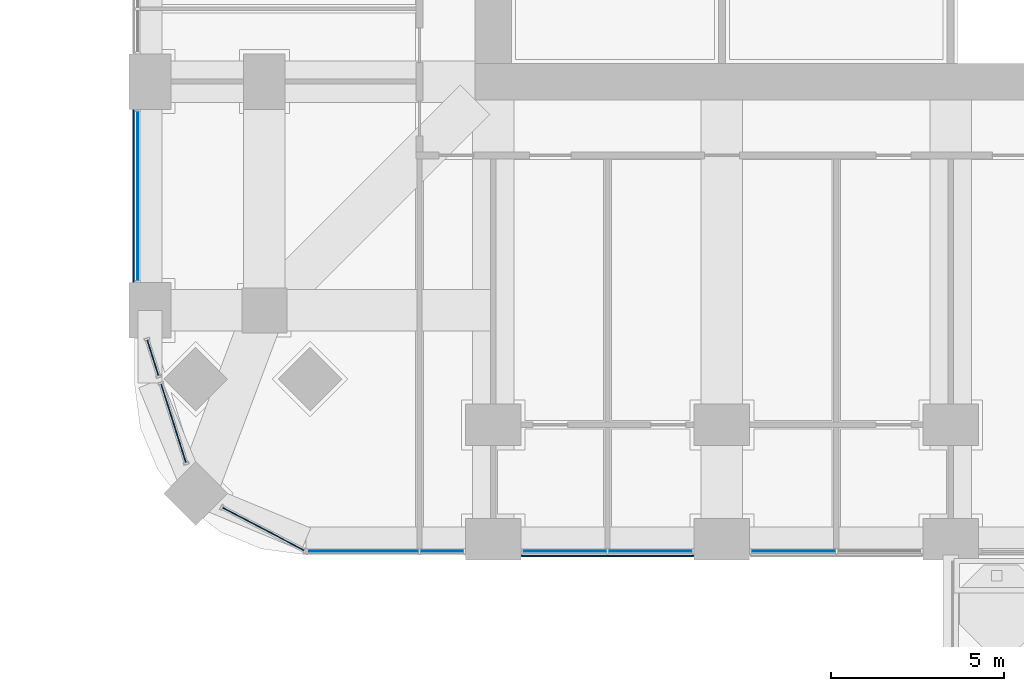
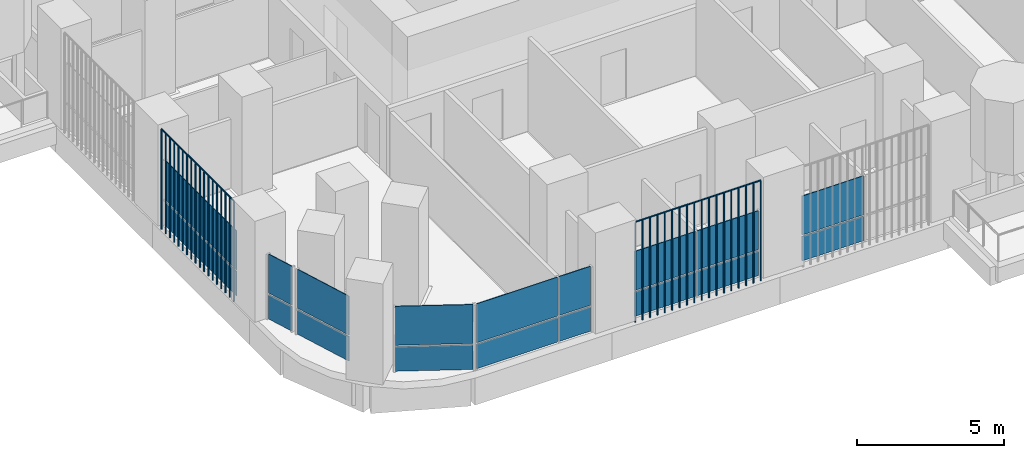
# One storey, part 9 of 22: 20 plates, 7 elements without a shape of their own.
"""IFC4 building model written with IfcOpenShell, lengths in metres."""

import ifcopenshell
import ifcopenshell.guid

model = None  # the IFC model being written
_history = None  # IfcOwnerHistory: only IFC2X3 demands one
_inside = {}  # id of a spatial element -> (the spatial element, [elements in it])
_under = {}  # id of a project, library or spatial element -> (it, [spatial elements below it])
_declared = {}  # id of a project -> (the project, [libraries it declares])
_typed = {}  # id of a type object -> (the type object, [elements of that type])
_made_of = {}  # id of a material, layer set ... -> (it, [elements and type objects made of it])


def new_model(schema):
    """Start an empty IFC model of exactly this schema.

    Asked for "IFC4X3", IfcOpenShell would pick the latest addendum, in which some entities
    have other attributes; the version numbers below select the first issue.
    IFC2X3 requires an IfcOwnerHistory on every rooted entity: one is made here for all.
    """
    global model, _history
    if schema == "IFC4X3":
        model = ifcopenshell.file(schema_version=(4, 3, 0, 0))
    else:
        model = ifcopenshell.file(schema=schema)
    _inside.clear()
    _under.clear()
    _declared.clear()
    _typed.clear()
    _made_of.clear()
    _history = None
    if model.schema == "IFC2X3":
        org = make("IfcOrganization", Name="unknown")
        user = make(
            "IfcPersonAndOrganization",
            ThePerson=make("IfcPerson", FamilyName="unknown"),
            TheOrganization=org,
        )
        app = make(
            "IfcApplication",
            ApplicationDeveloper=org,
            Version="unknown",
            ApplicationFullName="unknown",
            ApplicationIdentifier="unknown",
        )
        _history = make(
            "IfcOwnerHistory",
            OwningUser=user,
            OwningApplication=app,
            ChangeAction="ADDED",
            CreationDate=0,
        )
    return model


def make(cls, **values):
    """One entity of the class cls with the attributes given. An attribute that is None is left unset."""
    return model.create_entity(
        cls, **{name: value for name, value in values.items() if value is not None}
    )


def rooted(cls, **values):
    """An entity with a GlobalId (a new one), such as an element, a storey or a relation."""
    return make(cls, GlobalId=ifcopenshell.guid.new(), OwnerHistory=_history, **values)


def si_unit(unit_type, name, prefix=None):
    """IfcSIUnit, for example si_unit("LENGTHUNIT", "METRE", prefix="MILLI")."""
    return make("IfcSIUnit", UnitType=unit_type, Prefix=prefix, Name=name)


def assignment(units):
    """IfcUnitAssignment: the units of a project."""
    return None if units is None else make("IfcUnitAssignment", Units=units)


def point(xyz):
    """IfcCartesianPoint."""
    return None if xyz is None else make("IfcCartesianPoint", Coordinates=xyz)


def direction(xyz):
    """IfcDirection."""
    return None if xyz is None else make("IfcDirection", DirectionRatios=xyz)


def frame(location, z_axis=None, x_axis=None):
    """IfcAxis2Placement3D, a coordinate frame: its origin and axes. An axis left out is left unset."""
    return make(
        "IfcAxis2Placement3D",
        Location=point(location),
        Axis=direction(z_axis),
        RefDirection=direction(x_axis),
    )


def frame_2d(location, x_axis=None):
    """IfcAxis2Placement2D, a coordinate frame in the plane: its origin and x axis."""
    return make(
        "IfcAxis2Placement2D", Location=point(location), RefDirection=direction(x_axis)
    )


def origin():
    """The frame at (0, 0, 0) with its axes left unset."""
    return frame((0.0, 0.0, 0.0))


def origin_2d():
    """The frame at (0, 0) in the plane with its x axis left unset."""
    return frame_2d((0.0, 0.0))


def place(relative_to, where):
    """IfcLocalPlacement: puts the frame where relative to a parent placement (None: the world)."""
    return make(
        "IfcLocalPlacement", PlacementRelTo=relative_to, RelativePlacement=where
    )


def context(
    kind, dimensions, precision=None, world=None, true_north=None, identifier=None
):
    """IfcGeometricRepresentationContext, for example the 3D "Model" context."""
    return make(
        "IfcGeometricRepresentationContext",
        ContextIdentifier=identifier,
        ContextType=kind,
        CoordinateSpaceDimension=dimensions,
        Precision=precision,
        WorldCoordinateSystem=world,
        TrueNorth=true_north,
    )


def subcontext(parent, identifier, kind, view, scale=None):
    """IfcGeometricRepresentationSubContext, for example "Body" below "Model"."""
    return make(
        "IfcGeometricRepresentationSubContext",
        ContextIdentifier=identifier,
        ContextType=kind,
        ParentContext=parent,
        TargetScale=scale,
        TargetView=view,
    )


def project(units=None, contexts=None):
    """IfcProject with its units and contexts."""
    return rooted(
        "IfcProject",
        Name="project",
        RepresentationContexts=contexts,
        UnitsInContext=assignment(units),
    )


def spatial(cls, under=None, at=None, **own):
    """A site, building, storey or space (cls), placed at a placement, below another one or the project."""
    s = rooted(cls, ObjectPlacement=at, **own)
    if under is not None:
        _under.setdefault(under.id(), (under, []))[1].append(s)
    return s


def polyline(points):
    """IfcPolyline through the points."""
    return make("IfcPolyline", Points=[point(p) for p in points])


def profile(cls, at=None, kind="AREA", **sizes):
    """A parametric profile (cls). Its sizes go by their IFC names, for example OverallWidth=200.0."""
    return make(cls, ProfileType=kind, Position=at, **sizes)


def rectangle(**sizes):
    """IfcRectangleProfileDef."""
    return profile("IfcRectangleProfileDef", **sizes)


def outline(outer, holes=None, kind="AREA"):
    """IfcArbitraryClosedProfileDef: a profile drawn as a closed curve; with holes, ...WithVoids."""
    if holes is None:
        return make("IfcArbitraryClosedProfileDef", ProfileType=kind, OuterCurve=outer)
    return make(
        "IfcArbitraryProfileDefWithVoids",
        ProfileType=kind,
        OuterCurve=outer,
        InnerCurves=holes,
    )


def extrude(swept, where, along, depth):
    """IfcExtrudedAreaSolid: the profile swept, set in the frame where, extruded along a direction by depth."""
    return make(
        "IfcExtrudedAreaSolid",
        SweptArea=swept,
        Position=where,
        ExtrudedDirection=direction(along),
        Depth=depth,
    )


def shape(context_of_items, identifier, shape_type, items):
    """IfcShapeRepresentation: the items that make up one representation, for example the "Body"."""
    return make(
        "IfcShapeRepresentation",
        ContextOfItems=context_of_items,
        RepresentationIdentifier=identifier,
        RepresentationType=shape_type,
        Items=items,
    )


def material(Name=None, Category=None):
    """IfcMaterial."""
    return make("IfcMaterial", Name=Name, Category=Category)


def layer(
    of_material, thickness, ventilated=None, Name=None, Category=None, Priority=None
):
    """IfcMaterialLayer: one layer of a wall or slab, of a material (None: an air gap)."""
    return make(
        "IfcMaterialLayer",
        Material=of_material,
        LayerThickness=thickness,
        IsVentilated=ventilated,
        Name=Name,
        Category=Category,
        Priority=Priority,
    )


def layer_set(layers, Name=None):
    """IfcMaterialLayerSet."""
    return make("IfcMaterialLayerSet", MaterialLayers=layers, LayerSetName=Name)


def made_of(thing, what):
    """Note that an element or type object is made of a material, layer set ...; save() writes the relation."""
    if what is not None:
        _made_of.setdefault(what.id(), (what, []))[1].append(thing)
    return thing


def type_object(cls, material=None, **own):
    """A type object (cls), such as IfcWallType, which elements share."""
    return made_of(rooted(cls, **own), material)


def element(
    cls,
    number,
    at=None,
    inside=None,
    cuts=None,
    type_object=None,
    material=None,
    context=None,
    identifier="Body",
    shape_type=None,
    held_by="IfcProductDefinitionShape",
    body=None,
    shapes=None,
    **own,
):
    """One element of the class cls, such as IfcWall. Its Tag is "e" and its number.

    at: its placement. inside: the storey or other place that contains it. cuts: it is an
    opening in that element (IfcRelVoidsElement). A single representation is given by context,
    identifier, shape_type and body (its items); several are given by shapes. held_by: the class
    of the entity that holds the representations. save() writes the other relations.
    """
    e = rooted(cls, Tag="e%d" % number, ObjectPlacement=at, **own)
    if body is not None:
        shapes = [shape(context, identifier, shape_type, body)]
    if shapes is not None:
        e.Representation = make(held_by, Representations=shapes)
    if inside is not None:
        _inside.setdefault(inside.id(), (inside, []))[1].append(e)
    if cuts is not None:
        rooted(
            "IfcRelVoidsElement", RelatingBuildingElement=cuts, RelatedOpeningElement=e
        )
    if type_object is not None:
        _typed.setdefault(type_object.id(), (type_object, []))[1].append(e)
    return made_of(e, material)


def aggregate(whole, parts):
    """IfcRelAggregates: a whole, such as a stair, and the parts it consists of."""
    return rooted("IfcRelAggregates", RelatingObject=whole, RelatedObjects=parts)


def save(model, path):
    """Write the relations noted so far, then the file.

    IfcRelAggregates (storeys below a building ...), IfcRelContainedInSpatialStructure (elements
    in a storey), IfcRelDefinesByType, IfcRelAssociatesMaterial and IfcRelDeclares: one each for
    every whole, place, type object, material and project.
    """
    for whole, parts in _under.values():
        aggregate(whole, parts)
    for where, things in _inside.values():
        rooted(
            "IfcRelContainedInSpatialStructure",
            RelatedElements=things,
            RelatingStructure=where,
        )
    for kind, things in _typed.values():
        rooted("IfcRelDefinesByType", RelatedObjects=things, RelatingType=kind)
    for what, things in _made_of.values():
        rooted("IfcRelAssociatesMaterial", RelatedObjects=things, RelatingMaterial=what)
    for by, libraries in _declared.values():
        rooted("IfcRelDeclares", RelatingContext=by, RelatedDefinitions=libraries)
    model.write(path)


model = new_model("IFC4")

# Units and contexts
model_context = context("Model", 3, precision=1e-05, world=origin(), true_north=direction((0.0, 1.0)))
body_context = subcontext(model_context, "Body", "Model", "MODEL_VIEW")
ifc_project = project(units=[si_unit("LENGTHUNIT", "METRE"), si_unit("AREAUNIT", "SQUARE_METRE"), si_unit("VOLUMEUNIT", "CUBIC_METRE"), si_unit("PLANEANGLEUNIT", "RADIAN"), si_unit("MASSUNIT", "GRAM", prefix="KILO")], contexts=[model_context])

# Site, building, storey
site_placement = place(None, origin())
site = spatial("IfcSite", under=ifc_project, at=site_placement, CompositionType="ELEMENT")
building_placement = place(site_placement, origin())
building = spatial("IfcBuilding", under=site, at=building_placement, Name="Cobogo Forest Laboratory Tower", CompositionType="ELEMENT")
storey_placement = place(building_placement, frame((0.0, 0.0, 94.800048828125)))
storey = spatial("IfcBuildingStorey", under=building, at=storey_placement, Name="L21", CompositionType="ELEMENT", Elevation=94.800048828125)

# Curtain wall, plates
ifc_material_1 = material(Name="Aluminium curtain wall", Category="aluminium")
curtain_wall_type = type_object("IfcCurtainWallType", Name="CW-1 unitised curtain wall, clear glazing, laboratory floors zones A and B", PredefinedType="USERDEFINED", material=ifc_material_1)
curtain_wall_1_placement = place(storey_placement, origin())
curtain_wall_1 = element("IfcCurtainWall", 1, at=curtain_wall_1_placement, inside=storey, type_object=curtain_wall_type, Name="Curtain wall 01 L21", ObjectType="UNITISED CURTAIN WALL", PredefinedType="USERDEFINED")
ifc_material_2 = material(Name="Clear insulated glass", Category="glass")
ifc_layer = layer(ifc_material_2, 0.028076171875)
ifc_layer_set = layer_set([ifc_layer], Name="GP-1 clear insulated glass unit 28")
plate_type_1 = type_object("IfcPlateType", Name="GP-1 clear insulated glass unit 28", PredefinedType="CURTAIN_PANEL", material=ifc_layer_set)
plate_1_placement = place(storey_placement, frame((9.452392578125, -0.35009765625, 0.0), z_axis=(0.0, 0.0, 1.0), x_axis=(1.0, 0.0, 0.0)))
plate_1 = element("IfcPlate", 2, at=plate_1_placement, type_object=plate_type_1, Name="CW-1 panel 1.1", PredefinedType="CURTAIN_PANEL", context=body_context, shape_type="SweptSolid", body=[
    extrude(rectangle(XDim=3.18505859375, YDim=0.028076171875, at=origin_2d()), origin(), (0.0, 0.0, 1.0), 1.02001953125),
])
plate_2_placement = place(storey_placement, frame((9.452392578125, -0.35009765625, 1.079833984375), z_axis=(0.0, 0.0, 1.0), x_axis=(1.0, 0.0, 0.0)))
plate_2 = element("IfcPlate", 3, at=plate_2_placement, type_object=plate_type_1, Name="CW-1 panel 1.2", PredefinedType="CURTAIN_PANEL", context=body_context, shape_type="SweptSolid", body=[
    extrude(rectangle(XDim=3.18505859375, YDim=0.028076171875, at=origin_2d()), origin(), (0.0, 0.0, 1.0), 1.6201171875),
])
plate_3_placement = place(storey_placement, frame((11.722412109375, -0.35009765625, 0.0), z_axis=(0.0, 0.0, 1.0), x_axis=(1.0, 0.0, 0.0)))
plate_3 = element("IfcPlate", 4, at=plate_3_placement, type_object=plate_type_1, Name="CW-1 panel 2.1", PredefinedType="CURTAIN_PANEL", context=body_context, shape_type="SweptSolid", body=[
    extrude(rectangle(XDim=1.235107421875, YDim=0.028076171875, at=origin_2d()), origin(), (0.0, 0.0, 1.0), 1.02001953125),
])
plate_4_placement = place(storey_placement, frame((11.722412109375, -0.35009765625, 1.079833984375), z_axis=(0.0, 0.0, 1.0), x_axis=(1.0, 0.0, 0.0)))
plate_4 = element("IfcPlate", 5, at=plate_4_placement, type_object=plate_type_1, Name="CW-1 panel 2.2", PredefinedType="CURTAIN_PANEL", context=body_context, shape_type="SweptSolid", body=[
    extrude(rectangle(XDim=1.235107421875, YDim=0.028076171875, at=origin_2d()), origin(), (0.0, 0.0, 1.0), 1.6201171875),
])
aggregate(curtain_wall_1, [plate_1, plate_2, plate_3, plate_4])

curtain_wall_2_placement = place(storey_placement, origin())
curtain_wall_2 = element("IfcCurtainWall", 6, at=curtain_wall_2_placement, inside=storey, type_object=curtain_wall_type, Name="Curtain wall 02 L21", ObjectType="UNITISED CURTAIN WALL", PredefinedType="USERDEFINED")
plate_5_placement = place(storey_placement, frame((15.264892578125, -0.35009765625, 0.0), z_axis=(0.0, 0.0, 1.0), x_axis=(1.0, 0.0, 0.0)))
plate_5 = element("IfcPlate", 7, at=plate_5_placement, type_object=plate_type_1, Name="CW-1 panel 1.1", PredefinedType="CURTAIN_PANEL", context=body_context, shape_type="SweptSolid", body=[
    extrude(rectangle(XDim=2.409912109375, YDim=0.028076171875, at=origin_2d()), origin(), (0.0, 0.0, 1.0), 1.02001953125),
])
plate_6_placement = place(storey_placement, frame((15.264892578125, -0.35009765625, 1.079833984375), z_axis=(0.0, 0.0, 1.0), x_axis=(1.0, 0.0, 0.0)))
plate_6 = element("IfcPlate", 8, at=plate_6_placement, type_object=plate_type_1, Name="CW-1 panel 1.2", PredefinedType="CURTAIN_PANEL", context=body_context, shape_type="SweptSolid", body=[
    extrude(rectangle(XDim=2.409912109375, YDim=0.028076171875, at=origin_2d()), origin(), (0.0, 0.0, 1.0), 1.6201171875),
])
plate_7_placement = place(storey_placement, frame((17.735107421875, -0.35009765625, 0.0), z_axis=(0.0, 0.0, 1.0), x_axis=(1.0, 0.0, 0.0)))
plate_7 = element("IfcPlate", 9, at=plate_7_placement, type_object=plate_type_1, Name="CW-1 panel 2.1", PredefinedType="CURTAIN_PANEL", context=body_context, shape_type="SweptSolid", body=[
    extrude(rectangle(XDim=2.409912109375, YDim=0.028076171875, at=origin_2d()), origin(), (0.0, 0.0, 1.0), 1.02001953125),
])
plate_8_placement = place(storey_placement, frame((17.735107421875, -0.35009765625, 1.079833984375), z_axis=(0.0, 0.0, 1.0), x_axis=(1.0, 0.0, 0.0)))
plate_8 = element("IfcPlate", 10, at=plate_8_placement, type_object=plate_type_1, Name="CW-1 panel 2.2", PredefinedType="CURTAIN_PANEL", context=body_context, shape_type="SweptSolid", body=[
    extrude(rectangle(XDim=2.409912109375, YDim=0.028076171875, at=origin_2d()), origin(), (0.0, 0.0, 1.0), 1.6201171875),
])
aggregate(curtain_wall_2, [plate_5, plate_6, plate_7, plate_8])

curtain_wall_3_placement = place(storey_placement, origin())
curtain_wall_3 = element("IfcCurtainWall", 11, at=curtain_wall_3_placement, inside=storey, type_object=curtain_wall_type, Name="Curtain wall 03 L21", ObjectType="UNITISED CURTAIN WALL", PredefinedType="USERDEFINED")
plate_9_placement = place(storey_placement, frame((21.864990234375, -0.35009765625, 0.0), z_axis=(0.0, 0.0, 1.0), x_axis=(1.0, 0.0, 0.0)))
plate_9 = element("IfcPlate", 12, at=plate_9_placement, type_object=plate_type_1, Name="CW-1 panel 1.1", PredefinedType="CURTAIN_PANEL", context=body_context, shape_type="SweptSolid", body=[
    extrude(rectangle(XDim=2.409912109375, YDim=0.028076171875, at=origin_2d()), origin(), (0.0, 0.0, 1.0), 1.02001953125),
])
plate_10_placement = place(storey_placement, frame((21.864990234375, -0.35009765625, 1.079833984375), z_axis=(0.0, 0.0, 1.0), x_axis=(1.0, 0.0, 0.0)))
plate_10 = element("IfcPlate", 13, at=plate_10_placement, type_object=plate_type_1, Name="CW-1 panel 1.2", PredefinedType="CURTAIN_PANEL", context=body_context, shape_type="SweptSolid", body=[
    extrude(rectangle(XDim=2.409912109375, YDim=0.028076171875, at=origin_2d()), origin(), (0.0, 0.0, 1.0), 1.6201171875),
])
aggregate(curtain_wall_3, [plate_9, plate_10])

curtain_wall_4_placement = place(storey_placement, origin())
curtain_wall_4 = element("IfcCurtainWall", 14, at=curtain_wall_4_placement, inside=storey, type_object=curtain_wall_type, Name="Curtain wall 31 L21", ObjectType="UNITISED CURTAIN WALL", PredefinedType="USERDEFINED")
plate_11_placement = place(storey_placement, frame((2.949951171875, 9.89990234375, 0.0), z_axis=(0.0, 0.0, 1.0), x_axis=(0.0, -1.0, 0.0)))
plate_11 = element("IfcPlate", 15, at=plate_11_placement, type_object=plate_type_1, Name="CW-1 panel 1.1", PredefinedType="CURTAIN_PANEL", context=body_context, shape_type="SweptSolid", body=[
    extrude(rectangle(XDim=4.8798828125, YDim=0.028076171875, at=origin_2d()), origin(), (0.0, 0.0, 1.0), 1.02001953125),
])
plate_12_placement = place(storey_placement, frame((2.949951171875, 9.89990234375, 1.079833984375), z_axis=(0.0, 0.0, 1.0), x_axis=(0.0, -1.0, 0.0)))
plate_12 = element("IfcPlate", 16, at=plate_12_placement, type_object=plate_type_1, Name="CW-1 panel 1.2", PredefinedType="CURTAIN_PANEL", context=body_context, shape_type="SweptSolid", body=[
    extrude(rectangle(XDim=4.8798828125, YDim=0.028076171875, at=origin_2d()), origin(), (0.0, 0.0, 1.0), 1.6201171875),
])
aggregate(curtain_wall_4, [plate_11, plate_12])

curtain_wall_5_placement = place(storey_placement, origin())
curtain_wall_5 = element("IfcCurtainWall", 17, at=curtain_wall_5_placement, inside=storey, type_object=curtain_wall_type, Name="Curtain wall 32 L21", ObjectType="UNITISED CURTAIN WALL", PredefinedType="USERDEFINED")
plate_13_placement = place(storey_placement, frame((3.3818359375, 5.232177734375, 0.0), z_axis=(0.0, 0.0, 1.0), x_axis=(0.301135667865, -0.953581307252, 0.0)))
plate_13 = element("IfcPlate", 18, at=plate_13_placement, type_object=plate_type_1, Name="CW-1 panel 1.1", PredefinedType="CURTAIN_PANEL", context=body_context, shape_type="SweptSolid", body=[
    extrude(rectangle(XDim=1.071044921875, YDim=0.028076171875, at=origin_2d()), origin(), (0.0, 0.0, 1.0), 1.02001953125),
])
plate_14_placement = place(storey_placement, frame((3.3818359375, 5.232177734375, 1.079833984375), z_axis=(0.0, 0.0, 1.0), x_axis=(0.301135667865, -0.953581307252, 0.0)))
plate_14 = element("IfcPlate", 19, at=plate_14_placement, type_object=plate_type_1, Name="CW-1 panel 1.2", PredefinedType="CURTAIN_PANEL", context=body_context, shape_type="SweptSolid", body=[
    extrude(rectangle(XDim=1.071044921875, YDim=0.028076171875, at=origin_2d()), origin(), (0.0, 0.0, 1.0), 1.6201171875),
])
aggregate(curtain_wall_5, [plate_13, plate_14])

curtain_wall_6_placement = place(storey_placement, origin())
curtain_wall_6 = element("IfcCurtainWall", 20, at=curtain_wall_6_placement, inside=storey, type_object=curtain_wall_type, Name="Curtain wall 33 L21", ObjectType="UNITISED CURTAIN WALL", PredefinedType="USERDEFINED")
plate_15_placement = place(storey_placement, frame((3.978759765625, 3.342529296875, 0.0), z_axis=(0.0, 0.0, 1.0), x_axis=(0.301135291996, -0.953581425949, 0.0)))
plate_15 = element("IfcPlate", 21, at=plate_15_placement, type_object=plate_type_1, Name="CW-1 panel 1.1", PredefinedType="CURTAIN_PANEL", context=body_context, shape_type="SweptSolid", body=[
    extrude(rectangle(XDim=2.3681640625, YDim=0.028076171875, at=origin_2d()), origin(), (0.0, 0.0, 1.0), 1.02001953125),
])
plate_16_placement = place(storey_placement, frame((3.978759765625, 3.342529296875, 1.079833984375), z_axis=(0.0, 0.0, 1.0), x_axis=(0.301135291996, -0.953581425949, 0.0)))
plate_16 = element("IfcPlate", 22, at=plate_16_placement, type_object=plate_type_1, Name="CW-1 panel 1.2", PredefinedType="CURTAIN_PANEL", context=body_context, shape_type="SweptSolid", body=[
    extrude(rectangle(XDim=2.3681640625, YDim=0.028076171875, at=origin_2d()), origin(), (0.0, 0.0, 1.0), 1.6201171875),
])
aggregate(curtain_wall_6, [plate_15, plate_16])

curtain_wall_7_placement = place(storey_placement, origin())
curtain_wall_7 = element("IfcCurtainWall", 23, at=curtain_wall_7_placement, inside=storey, type_object=curtain_wall_type, Name="Curtain wall 34 L21", ObjectType="UNITISED CURTAIN WALL", PredefinedType="USERDEFINED")
plate_17_placement = place(storey_placement, frame((6.57080078125, 0.29443359375, 0.0), z_axis=(0.0, 0.0, 1.0), x_axis=(0.885686547075, -0.464283685186, 0.0)))
plate_17 = element("IfcPlate", 24, at=plate_17_placement, type_object=plate_type_1, Name="CW-1 panel 1.1", PredefinedType="CURTAIN_PANEL", context=body_context, shape_type="SweptSolid", body=[
    extrude(rectangle(XDim=2.655517578125, YDim=0.028076171875, at=origin_2d()), origin(), (0.0, 0.0, 1.0), 1.02001953125),
])
plate_18_placement = place(storey_placement, frame((6.57080078125, 0.29443359375, 1.079833984375), z_axis=(0.0, 0.0, 1.0), x_axis=(0.885686547075, -0.464283685186, 0.0)))
plate_18 = element("IfcPlate", 25, at=plate_18_placement, type_object=plate_type_1, Name="CW-1 panel 1.2", PredefinedType="CURTAIN_PANEL", context=body_context, shape_type="SweptSolid", body=[
    extrude(rectangle(XDim=2.655517578125, YDim=0.028076171875, at=origin_2d()), origin(), (0.0, 0.0, 1.0), 1.6201171875),
])
aggregate(curtain_wall_7, [plate_17, plate_18])

# Plates
ifc_material_3 = material(Name="Terracotta", Category="masonry")
plate_type_2 = type_object("IfcPlateType", Name="TB1 terracotta baguette screen", PredefinedType="USERDEFINED", material=ifc_material_3)
plate_19_placement = place(storey_placement, frame((14.03125, -0.477783203125, -0.150146484375)))
element("IfcPlate", 26, at=plate_19_placement, inside=storey, type_object=plate_type_2, Name="Baguette screen S1 L21", ObjectType="BAGUETTE SCREEN", PredefinedType="USERDEFINED", context=body_context, shape_type="SweptSolid", body=[
    extrude(outline(polyline([(0.02880859375, 0.011962890625), (0.011962890625, 0.02880859375), (-0.011962890625, 0.02880859375), (-0.02880859375, 0.011962890625), (-0.02880859375, -0.011962890625), (-0.011962890625, -0.02880859375), (0.011962890625, -0.02880859375), (0.02880859375, -0.011962890625), (0.02880859375, 0.011962890625)])), frame((0.0, 0.0, 4.168701171875), z_axis=(1.0, 0.0, 0.0), x_axis=(0.0, 1.0, 0.0)), (0.0, 0.0, 1.0), 4.9375),
    extrude(outline(polyline([(0.02880859375, 0.011962890625), (0.011962890625, 0.02880859375), (-0.011962890625, 0.02880859375), (-0.02880859375, 0.011962890625), (-0.02880859375, -0.011962890625), (-0.011962890625, -0.02880859375), (0.011962890625, -0.02880859375), (0.02880859375, -0.011962890625), (0.02880859375, 0.011962890625)])), origin(), (0.0, 0.0, 1.0), 4.137451171875),
    extrude(outline(polyline([(0.02880859375, 0.011962890625), (0.011962890625, 0.02880859375), (-0.011962890625, 0.02880859375), (-0.02880859375, 0.011962890625), (-0.02880859375, -0.011962890625), (-0.011962890625, -0.02880859375), (0.011962890625, -0.02880859375), (0.02880859375, -0.011962890625), (0.02880859375, 0.011962890625)])), frame((0.29052734375, 0.0, 0.0)), (0.0, 0.0, 1.0), 4.137451171875),
    extrude(outline(polyline([(0.02880859375, 0.011962890625), (0.011962890625, 0.02880859375), (-0.011962890625, 0.02880859375), (-0.02880859375, 0.011962890625), (-0.02880859375, -0.011962890625), (-0.011962890625, -0.02880859375), (0.011962890625, -0.02880859375), (0.02880859375, -0.011962890625), (0.02880859375, 0.011962890625)])), frame((0.580810546875, 0.0, 0.0)), (0.0, 0.0, 1.0), 4.137451171875),
    extrude(outline(polyline([(0.02880859375, 0.011962890625), (0.011962890625, 0.02880859375), (-0.011962890625, 0.02880859375), (-0.02880859375, 0.011962890625), (-0.02880859375, -0.011962890625), (-0.011962890625, -0.02880859375), (0.011962890625, -0.02880859375), (0.02880859375, -0.011962890625), (0.02880859375, 0.011962890625)])), frame((0.871337890625, 0.0, 0.0)), (0.0, 0.0, 1.0), 4.137451171875),
    extrude(outline(polyline([(0.02880859375, 0.011962890625), (0.011962890625, 0.02880859375), (-0.011962890625, 0.02880859375), (-0.02880859375, 0.011962890625), (-0.02880859375, -0.011962890625), (-0.011962890625, -0.02880859375), (0.011962890625, -0.02880859375), (0.02880859375, -0.011962890625), (0.02880859375, 0.011962890625)])), frame((1.161865234375, 0.0, 0.0)), (0.0, 0.0, 1.0), 4.137451171875),
    extrude(outline(polyline([(0.02880859375, 0.011962890625), (0.011962890625, 0.02880859375), (-0.011962890625, 0.02880859375), (-0.02880859375, 0.011962890625), (-0.02880859375, -0.011962890625), (-0.011962890625, -0.02880859375), (0.011962890625, -0.02880859375), (0.02880859375, -0.011962890625), (0.02880859375, 0.011962890625)])), frame((1.4521484375, 0.0, 0.0)), (0.0, 0.0, 1.0), 4.137451171875),
    extrude(outline(polyline([(0.02880859375, 0.011962890625), (0.011962890625, 0.02880859375), (-0.011962890625, 0.02880859375), (-0.02880859375, 0.011962890625), (-0.02880859375, -0.011962890625), (-0.011962890625, -0.02880859375), (0.011962890625, -0.02880859375), (0.02880859375, -0.011962890625), (0.02880859375, 0.011962890625)])), frame((1.74267578125, 0.0, 0.0)), (0.0, 0.0, 1.0), 4.137451171875),
    extrude(outline(polyline([(0.02880859375, 0.011962890625), (0.011962890625, 0.02880859375), (-0.011962890625, 0.02880859375), (-0.02880859375, 0.011962890625), (-0.02880859375, -0.011962890625), (-0.011962890625, -0.02880859375), (0.011962890625, -0.02880859375), (0.02880859375, -0.011962890625), (0.02880859375, 0.011962890625)])), frame((2.033203125, 0.0, 0.0)), (0.0, 0.0, 1.0), 4.137451171875),
    extrude(outline(polyline([(0.02880859375, 0.011962890625), (0.011962890625, 0.02880859375), (-0.011962890625, 0.02880859375), (-0.02880859375, 0.011962890625), (-0.02880859375, -0.011962890625), (-0.011962890625, -0.02880859375), (0.011962890625, -0.02880859375), (0.02880859375, -0.011962890625), (0.02880859375, 0.011962890625)])), frame((2.323486328125, 0.0, 0.0)), (0.0, 0.0, 1.0), 4.137451171875),
    extrude(outline(polyline([(0.02880859375, 0.011962890625), (0.011962890625, 0.02880859375), (-0.011962890625, 0.02880859375), (-0.02880859375, 0.011962890625), (-0.02880859375, -0.011962890625), (-0.011962890625, -0.02880859375), (0.011962890625, -0.02880859375), (0.02880859375, -0.011962890625), (0.02880859375, 0.011962890625)])), frame((2.614013671875, 0.0, 0.0)), (0.0, 0.0, 1.0), 4.137451171875),
    extrude(outline(polyline([(0.02880859375, 0.011962890625), (0.011962890625, 0.02880859375), (-0.011962890625, 0.02880859375), (-0.02880859375, 0.011962890625), (-0.02880859375, -0.011962890625), (-0.011962890625, -0.02880859375), (0.011962890625, -0.02880859375), (0.02880859375, -0.011962890625), (0.02880859375, 0.011962890625)])), frame((2.904296875, 0.0, 0.0)), (0.0, 0.0, 1.0), 4.137451171875),
    extrude(outline(polyline([(0.02880859375, 0.011962890625), (0.011962890625, 0.02880859375), (-0.011962890625, 0.02880859375), (-0.02880859375, 0.011962890625), (-0.02880859375, -0.011962890625), (-0.011962890625, -0.02880859375), (0.011962890625, -0.02880859375), (0.02880859375, -0.011962890625), (0.02880859375, 0.011962890625)])), frame((3.19482421875, 0.0, 0.0)), (0.0, 0.0, 1.0), 4.137451171875),
    extrude(outline(polyline([(0.02880859375, 0.011962890625), (0.011962890625, 0.02880859375), (-0.011962890625, 0.02880859375), (-0.02880859375, 0.011962890625), (-0.02880859375, -0.011962890625), (-0.011962890625, -0.02880859375), (0.011962890625, -0.02880859375), (0.02880859375, -0.011962890625), (0.02880859375, 0.011962890625)])), frame((3.4853515625, 0.0, 0.0)), (0.0, 0.0, 1.0), 4.137451171875),
    extrude(outline(polyline([(0.02880859375, 0.011962890625), (0.011962890625, 0.02880859375), (-0.011962890625, 0.02880859375), (-0.02880859375, 0.011962890625), (-0.02880859375, -0.011962890625), (-0.011962890625, -0.02880859375), (0.011962890625, -0.02880859375), (0.02880859375, -0.011962890625), (0.02880859375, 0.011962890625)])), frame((3.775634765625, 0.0, 0.0)), (0.0, 0.0, 1.0), 4.137451171875),
    extrude(outline(polyline([(0.02880859375, 0.011962890625), (0.011962890625, 0.02880859375), (-0.011962890625, 0.02880859375), (-0.02880859375, 0.011962890625), (-0.02880859375, -0.011962890625), (-0.011962890625, -0.02880859375), (0.011962890625, -0.02880859375), (0.02880859375, -0.011962890625), (0.02880859375, 0.011962890625)])), frame((4.066162109375, 0.0, 0.0)), (0.0, 0.0, 1.0), 4.137451171875),
    extrude(outline(polyline([(0.02880859375, 0.011962890625), (0.011962890625, 0.02880859375), (-0.011962890625, 0.02880859375), (-0.02880859375, 0.011962890625), (-0.02880859375, -0.011962890625), (-0.011962890625, -0.02880859375), (0.011962890625, -0.02880859375), (0.02880859375, -0.011962890625), (0.02880859375, 0.011962890625)])), frame((4.356689453125, 0.0, 0.0)), (0.0, 0.0, 1.0), 4.137451171875),
    extrude(outline(polyline([(0.02880859375, 0.011962890625), (0.011962890625, 0.02880859375), (-0.011962890625, 0.02880859375), (-0.02880859375, 0.011962890625), (-0.02880859375, -0.011962890625), (-0.011962890625, -0.02880859375), (0.011962890625, -0.02880859375), (0.02880859375, -0.011962890625), (0.02880859375, 0.011962890625)])), frame((4.64697265625, 0.0, 0.0)), (0.0, 0.0, 1.0), 4.137451171875),
    extrude(outline(polyline([(0.02880859375, 0.011962890625), (0.011962890625, 0.02880859375), (-0.011962890625, 0.02880859375), (-0.02880859375, 0.011962890625), (-0.02880859375, -0.011962890625), (-0.011962890625, -0.02880859375), (0.011962890625, -0.02880859375), (0.02880859375, -0.011962890625), (0.02880859375, 0.011962890625)])), frame((4.9375, 0.0, 0.0)), (0.0, 0.0, 1.0), 4.137451171875),
])
plate_20_placement = place(storey_placement, frame((2.822021484375, 7.43115234375, -0.150146484375)))
element("IfcPlate", 27, at=plate_20_placement, inside=storey, type_object=plate_type_2, Name="Baguette screen W1 L21", ObjectType="BAGUETTE SCREEN", PredefinedType="USERDEFINED", context=body_context, shape_type="SweptSolid", body=[
    extrude(outline(polyline([(0.02880859375, 0.011962890625), (0.011962890625, 0.02880859375), (-0.011962890625, 0.02880859375), (-0.02880859375, 0.011962890625), (-0.02880859375, -0.011962890625), (-0.011962890625, -0.02880859375), (0.011962890625, -0.02880859375), (0.02880859375, -0.011962890625), (0.02880859375, 0.011962890625)])), frame((0.0, 0.0, 4.168701171875), z_axis=(0.0, 1.0, 0.0), x_axis=(-1.0, 0.0, 0.0)), (0.0, 0.0, 1.0), 4.9375),
    extrude(outline(polyline([(0.02880859375, 0.011962890625), (0.011962890625, 0.02880859375), (-0.011962890625, 0.02880859375), (-0.02880859375, 0.011962890625), (-0.02880859375, -0.011962890625), (-0.011962890625, -0.02880859375), (0.011962890625, -0.02880859375), (0.02880859375, -0.011962890625), (0.02880859375, 0.011962890625)])), origin(), (0.0, 0.0, 1.0), 4.137451171875),
    extrude(outline(polyline([(0.02880859375, 0.011962890625), (0.011962890625, 0.02880859375), (-0.011962890625, 0.02880859375), (-0.02880859375, 0.011962890625), (-0.02880859375, -0.011962890625), (-0.011962890625, -0.02880859375), (0.011962890625, -0.02880859375), (0.02880859375, -0.011962890625), (0.02880859375, 0.011962890625)])), frame((0.0, 0.29052734375, 0.0)), (0.0, 0.0, 1.0), 4.137451171875),
    extrude(outline(polyline([(0.02880859375, 0.011962890625), (0.011962890625, 0.02880859375), (-0.011962890625, 0.02880859375), (-0.02880859375, 0.011962890625), (-0.02880859375, -0.011962890625), (-0.011962890625, -0.02880859375), (0.011962890625, -0.02880859375), (0.02880859375, -0.011962890625), (0.02880859375, 0.011962890625)])), frame((0.0, 0.580810546875, 0.0)), (0.0, 0.0, 1.0), 4.137451171875),
    extrude(outline(polyline([(0.02880859375, 0.011962890625), (0.011962890625, 0.02880859375), (-0.011962890625, 0.02880859375), (-0.02880859375, 0.011962890625), (-0.02880859375, -0.011962890625), (-0.011962890625, -0.02880859375), (0.011962890625, -0.02880859375), (0.02880859375, -0.011962890625), (0.02880859375, 0.011962890625)])), frame((0.0, 0.871337890625, 0.0)), (0.0, 0.0, 1.0), 4.137451171875),
    extrude(outline(polyline([(0.02880859375, 0.011962890625), (0.011962890625, 0.02880859375), (-0.011962890625, 0.02880859375), (-0.02880859375, 0.011962890625), (-0.02880859375, -0.011962890625), (-0.011962890625, -0.02880859375), (0.011962890625, -0.02880859375), (0.02880859375, -0.011962890625), (0.02880859375, 0.011962890625)])), frame((0.0, 1.161865234375, 0.0)), (0.0, 0.0, 1.0), 4.137451171875),
    extrude(outline(polyline([(0.02880859375, 0.011962890625), (0.011962890625, 0.02880859375), (-0.011962890625, 0.02880859375), (-0.02880859375, 0.011962890625), (-0.02880859375, -0.011962890625), (-0.011962890625, -0.02880859375), (0.011962890625, -0.02880859375), (0.02880859375, -0.011962890625), (0.02880859375, 0.011962890625)])), frame((0.0, 1.4521484375, 0.0)), (0.0, 0.0, 1.0), 4.137451171875),
    extrude(outline(polyline([(0.02880859375, 0.011962890625), (0.011962890625, 0.02880859375), (-0.011962890625, 0.02880859375), (-0.02880859375, 0.011962890625), (-0.02880859375, -0.011962890625), (-0.011962890625, -0.02880859375), (0.011962890625, -0.02880859375), (0.02880859375, -0.011962890625), (0.02880859375, 0.011962890625)])), frame((0.0, 1.74267578125, 0.0)), (0.0, 0.0, 1.0), 4.137451171875),
    extrude(outline(polyline([(0.02880859375, 0.011962890625), (0.011962890625, 0.02880859375), (-0.011962890625, 0.02880859375), (-0.02880859375, 0.011962890625), (-0.02880859375, -0.011962890625), (-0.011962890625, -0.02880859375), (0.011962890625, -0.02880859375), (0.02880859375, -0.011962890625), (0.02880859375, 0.011962890625)])), frame((0.0, 2.033203125, 0.0)), (0.0, 0.0, 1.0), 4.137451171875),
    extrude(outline(polyline([(0.02880859375, 0.011962890625), (0.011962890625, 0.02880859375), (-0.011962890625, 0.02880859375), (-0.02880859375, 0.011962890625), (-0.02880859375, -0.011962890625), (-0.011962890625, -0.02880859375), (0.011962890625, -0.02880859375), (0.02880859375, -0.011962890625), (0.02880859375, 0.011962890625)])), frame((0.0, 2.323486328125, 0.0)), (0.0, 0.0, 1.0), 4.137451171875),
    extrude(outline(polyline([(0.02880859375, 0.011962890625), (0.011962890625, 0.02880859375), (-0.011962890625, 0.02880859375), (-0.02880859375, 0.011962890625), (-0.02880859375, -0.011962890625), (-0.011962890625, -0.02880859375), (0.011962890625, -0.02880859375), (0.02880859375, -0.011962890625), (0.02880859375, 0.011962890625)])), frame((0.0, 2.614013671875, 0.0)), (0.0, 0.0, 1.0), 4.137451171875),
    extrude(outline(polyline([(0.02880859375, 0.011962890625), (0.011962890625, 0.02880859375), (-0.011962890625, 0.02880859375), (-0.02880859375, 0.011962890625), (-0.02880859375, -0.011962890625), (-0.011962890625, -0.02880859375), (0.011962890625, -0.02880859375), (0.02880859375, -0.011962890625), (0.02880859375, 0.011962890625)])), frame((0.0, 2.904296875, 0.0)), (0.0, 0.0, 1.0), 4.137451171875),
    extrude(outline(polyline([(0.02880859375, 0.011962890625), (0.011962890625, 0.02880859375), (-0.011962890625, 0.02880859375), (-0.02880859375, 0.011962890625), (-0.02880859375, -0.011962890625), (-0.011962890625, -0.02880859375), (0.011962890625, -0.02880859375), (0.02880859375, -0.011962890625), (0.02880859375, 0.011962890625)])), frame((0.0, 3.19482421875, 0.0)), (0.0, 0.0, 1.0), 4.137451171875),
    extrude(outline(polyline([(0.02880859375, 0.011962890625), (0.011962890625, 0.02880859375), (-0.011962890625, 0.02880859375), (-0.02880859375, 0.011962890625), (-0.02880859375, -0.011962890625), (-0.011962890625, -0.02880859375), (0.011962890625, -0.02880859375), (0.02880859375, -0.011962890625), (0.02880859375, 0.011962890625)])), frame((0.0, 3.4853515625, 0.0)), (0.0, 0.0, 1.0), 4.137451171875),
    extrude(outline(polyline([(0.02880859375, 0.011962890625), (0.011962890625, 0.02880859375), (-0.011962890625, 0.02880859375), (-0.02880859375, 0.011962890625), (-0.02880859375, -0.011962890625), (-0.011962890625, -0.02880859375), (0.011962890625, -0.02880859375), (0.02880859375, -0.011962890625), (0.02880859375, 0.011962890625)])), frame((0.0, 3.775634765625, 0.0)), (0.0, 0.0, 1.0), 4.137451171875),
    extrude(outline(polyline([(0.02880859375, 0.011962890625), (0.011962890625, 0.02880859375), (-0.011962890625, 0.02880859375), (-0.02880859375, 0.011962890625), (-0.02880859375, -0.011962890625), (-0.011962890625, -0.02880859375), (0.011962890625, -0.02880859375), (0.02880859375, -0.011962890625), (0.02880859375, 0.011962890625)])), frame((0.0, 4.066162109375, 0.0)), (0.0, 0.0, 1.0), 4.137451171875),
    extrude(outline(polyline([(0.02880859375, 0.011962890625), (0.011962890625, 0.02880859375), (-0.011962890625, 0.02880859375), (-0.02880859375, 0.011962890625), (-0.02880859375, -0.011962890625), (-0.011962890625, -0.02880859375), (0.011962890625, -0.02880859375), (0.02880859375, -0.011962890625), (0.02880859375, 0.011962890625)])), frame((0.0, 4.356689453125, 0.0)), (0.0, 0.0, 1.0), 4.137451171875),
    extrude(outline(polyline([(0.02880859375, 0.011962890625), (0.011962890625, 0.02880859375), (-0.011962890625, 0.02880859375), (-0.02880859375, 0.011962890625), (-0.02880859375, -0.011962890625), (-0.011962890625, -0.02880859375), (0.011962890625, -0.02880859375), (0.02880859375, -0.011962890625), (0.02880859375, 0.011962890625)])), frame((0.0, 4.64697265625, 0.0)), (0.0, 0.0, 1.0), 4.137451171875),
    extrude(outline(polyline([(0.02880859375, 0.011962890625), (0.011962890625, 0.02880859375), (-0.011962890625, 0.02880859375), (-0.02880859375, 0.011962890625), (-0.02880859375, -0.011962890625), (-0.011962890625, -0.02880859375), (0.011962890625, -0.02880859375), (0.02880859375, -0.011962890625), (0.02880859375, 0.011962890625)])), frame((0.0, 4.9375, 0.0)), (0.0, 0.0, 1.0), 4.137451171875),
])

save(model, "model.ifc")
